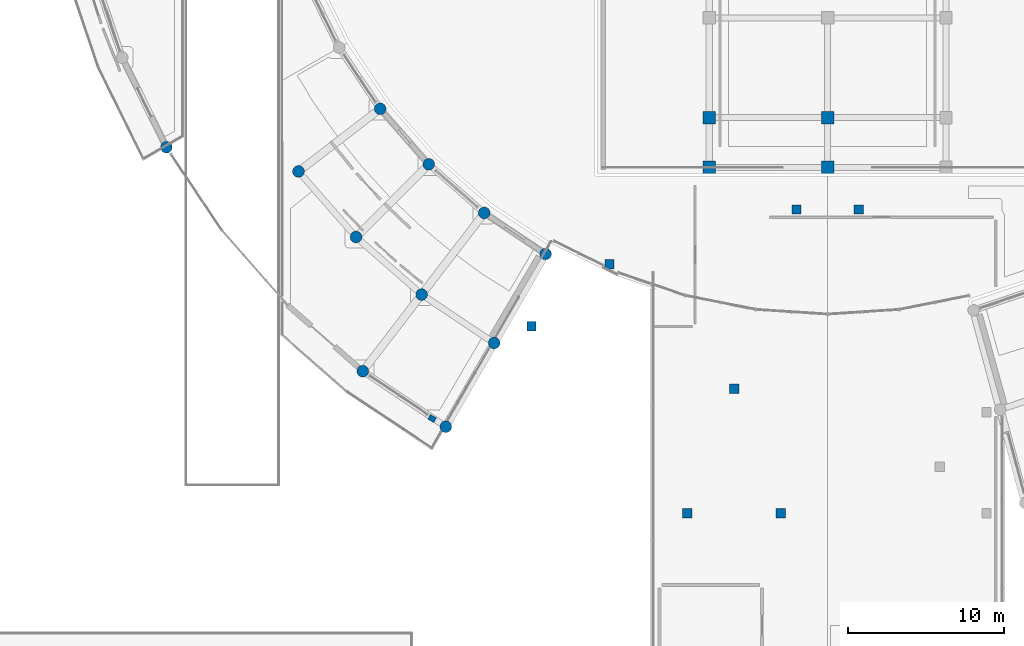
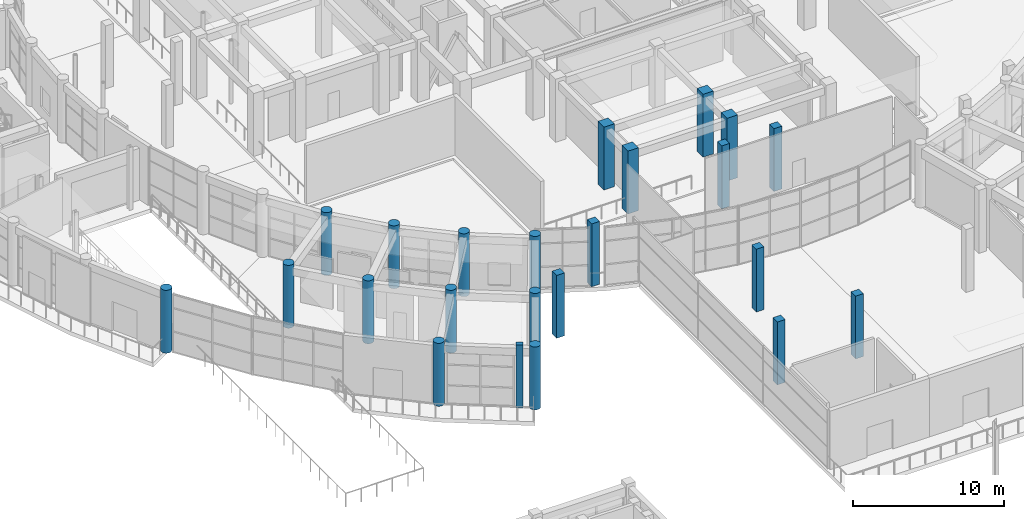
# One storey, part 3 of 99: 23 columns.
"""IFC4 building model written with IfcOpenShell, lengths in metres."""

import ifcopenshell
import ifcopenshell.guid

model = None  # the IFC model being written
_history = None  # IfcOwnerHistory: only IFC2X3 demands one
_inside = {}  # id of a spatial element -> (the spatial element, [elements in it])
_under = {}  # id of a project, library or spatial element -> (it, [spatial elements below it])
_declared = {}  # id of a project -> (the project, [libraries it declares])
_typed = {}  # id of a type object -> (the type object, [elements of that type])
_made_of = {}  # id of a material, layer set ... -> (it, [elements and type objects made of it])


def new_model(schema):
    """Start an empty IFC model of exactly this schema.

    Asked for "IFC4X3", IfcOpenShell would pick the latest addendum, in which some entities
    have other attributes; the version numbers below select the first issue.
    IFC2X3 requires an IfcOwnerHistory on every rooted entity: one is made here for all.
    """
    global model, _history
    if schema == "IFC4X3":
        model = ifcopenshell.file(schema_version=(4, 3, 0, 0))
    else:
        model = ifcopenshell.file(schema=schema)
    _inside.clear()
    _under.clear()
    _declared.clear()
    _typed.clear()
    _made_of.clear()
    _history = None
    if model.schema == "IFC2X3":
        org = make("IfcOrganization", Name="unknown")
        user = make(
            "IfcPersonAndOrganization",
            ThePerson=make("IfcPerson", FamilyName="unknown"),
            TheOrganization=org,
        )
        app = make(
            "IfcApplication",
            ApplicationDeveloper=org,
            Version="unknown",
            ApplicationFullName="unknown",
            ApplicationIdentifier="unknown",
        )
        _history = make(
            "IfcOwnerHistory",
            OwningUser=user,
            OwningApplication=app,
            ChangeAction="ADDED",
            CreationDate=0,
        )
    return model


def make(cls, **values):
    """One entity of the class cls with the attributes given. An attribute that is None is left unset."""
    return model.create_entity(
        cls, **{name: value for name, value in values.items() if value is not None}
    )


def rooted(cls, **values):
    """An entity with a GlobalId (a new one), such as an element, a storey or a relation."""
    return make(cls, GlobalId=ifcopenshell.guid.new(), OwnerHistory=_history, **values)


def si_unit(unit_type, name, prefix=None):
    """IfcSIUnit, for example si_unit("LENGTHUNIT", "METRE", prefix="MILLI")."""
    return make("IfcSIUnit", UnitType=unit_type, Prefix=prefix, Name=name)


def assignment(units):
    """IfcUnitAssignment: the units of a project."""
    return None if units is None else make("IfcUnitAssignment", Units=units)


def point(xyz):
    """IfcCartesianPoint."""
    return None if xyz is None else make("IfcCartesianPoint", Coordinates=xyz)


def direction(xyz):
    """IfcDirection."""
    return None if xyz is None else make("IfcDirection", DirectionRatios=xyz)


def frame(location, z_axis=None, x_axis=None):
    """IfcAxis2Placement3D, a coordinate frame: its origin and axes. An axis left out is left unset."""
    return make(
        "IfcAxis2Placement3D",
        Location=point(location),
        Axis=direction(z_axis),
        RefDirection=direction(x_axis),
    )


def frame_2d(location, x_axis=None):
    """IfcAxis2Placement2D, a coordinate frame in the plane: its origin and x axis."""
    return make(
        "IfcAxis2Placement2D", Location=point(location), RefDirection=direction(x_axis)
    )


def origin():
    """The frame at (0, 0, 0) with its axes left unset."""
    return frame((0.0, 0.0, 0.0))


def origin_2d():
    """The frame at (0, 0) in the plane with its x axis left unset."""
    return frame_2d((0.0, 0.0))


def place(relative_to, where):
    """IfcLocalPlacement: puts the frame where relative to a parent placement (None: the world)."""
    return make(
        "IfcLocalPlacement", PlacementRelTo=relative_to, RelativePlacement=where
    )


def context(
    kind, dimensions, precision=None, world=None, true_north=None, identifier=None
):
    """IfcGeometricRepresentationContext, for example the 3D "Model" context."""
    return make(
        "IfcGeometricRepresentationContext",
        ContextIdentifier=identifier,
        ContextType=kind,
        CoordinateSpaceDimension=dimensions,
        Precision=precision,
        WorldCoordinateSystem=world,
        TrueNorth=true_north,
    )


def subcontext(parent, identifier, kind, view, scale=None):
    """IfcGeometricRepresentationSubContext, for example "Body" below "Model"."""
    return make(
        "IfcGeometricRepresentationSubContext",
        ContextIdentifier=identifier,
        ContextType=kind,
        ParentContext=parent,
        TargetScale=scale,
        TargetView=view,
    )


def project(units=None, contexts=None):
    """IfcProject with its units and contexts."""
    return rooted(
        "IfcProject",
        Name="project",
        RepresentationContexts=contexts,
        UnitsInContext=assignment(units),
    )


def spatial(cls, under=None, at=None, **own):
    """A site, building, storey or space (cls), placed at a placement, below another one or the project."""
    s = rooted(cls, ObjectPlacement=at, **own)
    if under is not None:
        _under.setdefault(under.id(), (under, []))[1].append(s)
    return s


def profile(cls, at=None, kind="AREA", **sizes):
    """A parametric profile (cls). Its sizes go by their IFC names, for example OverallWidth=200.0."""
    return make(cls, ProfileType=kind, Position=at, **sizes)


def rectangle(**sizes):
    """IfcRectangleProfileDef."""
    return profile("IfcRectangleProfileDef", **sizes)


def circle(**sizes):
    """IfcCircleProfileDef."""
    return profile("IfcCircleProfileDef", **sizes)


def extrude(swept, where, along, depth):
    """IfcExtrudedAreaSolid: the profile swept, set in the frame where, extruded along a direction by depth."""
    return make(
        "IfcExtrudedAreaSolid",
        SweptArea=swept,
        Position=where,
        ExtrudedDirection=direction(along),
        Depth=depth,
    )


def shape(context_of_items, identifier, shape_type, items):
    """IfcShapeRepresentation: the items that make up one representation, for example the "Body"."""
    return make(
        "IfcShapeRepresentation",
        ContextOfItems=context_of_items,
        RepresentationIdentifier=identifier,
        RepresentationType=shape_type,
        Items=items,
    )


def material(Name=None, Category=None):
    """IfcMaterial."""
    return make("IfcMaterial", Name=Name, Category=Category)


def material_profile(
    of_material, cross_section, Name=None, Category=None, Priority=None
):
    """IfcMaterialProfile: a cross section and its material."""
    return make(
        "IfcMaterialProfile",
        Name=Name,
        Material=of_material,
        Profile=cross_section,
        Priority=Priority,
        Category=Category,
    )


def profile_set(profiles, Name=None, composite=None):
    """IfcMaterialProfileSet."""
    return make(
        "IfcMaterialProfileSet",
        Name=Name,
        MaterialProfiles=profiles,
        CompositeProfile=composite,
    )


def made_of(thing, what):
    """Note that an element or type object is made of a material, layer set ...; save() writes the relation."""
    if what is not None:
        _made_of.setdefault(what.id(), (what, []))[1].append(thing)
    return thing


def type_object(cls, material=None, **own):
    """A type object (cls), such as IfcWallType, which elements share."""
    return made_of(rooted(cls, **own), material)


def element(
    cls,
    number,
    at=None,
    inside=None,
    cuts=None,
    type_object=None,
    material=None,
    context=None,
    identifier="Body",
    shape_type=None,
    held_by="IfcProductDefinitionShape",
    body=None,
    shapes=None,
    **own,
):
    """One element of the class cls, such as IfcWall. Its Tag is "e" and its number.

    at: its placement. inside: the storey or other place that contains it. cuts: it is an
    opening in that element (IfcRelVoidsElement). A single representation is given by context,
    identifier, shape_type and body (its items); several are given by shapes. held_by: the class
    of the entity that holds the representations. save() writes the other relations.
    """
    e = rooted(cls, Tag="e%d" % number, ObjectPlacement=at, **own)
    if body is not None:
        shapes = [shape(context, identifier, shape_type, body)]
    if shapes is not None:
        e.Representation = make(held_by, Representations=shapes)
    if inside is not None:
        _inside.setdefault(inside.id(), (inside, []))[1].append(e)
    if cuts is not None:
        rooted(
            "IfcRelVoidsElement", RelatingBuildingElement=cuts, RelatedOpeningElement=e
        )
    if type_object is not None:
        _typed.setdefault(type_object.id(), (type_object, []))[1].append(e)
    return made_of(e, material)


def aggregate(whole, parts):
    """IfcRelAggregates: a whole, such as a stair, and the parts it consists of."""
    return rooted("IfcRelAggregates", RelatingObject=whole, RelatedObjects=parts)


def save(model, path):
    """Write the relations noted so far, then the file.

    IfcRelAggregates (storeys below a building ...), IfcRelContainedInSpatialStructure (elements
    in a storey), IfcRelDefinesByType, IfcRelAssociatesMaterial and IfcRelDeclares: one each for
    every whole, place, type object, material and project.
    """
    for whole, parts in _under.values():
        aggregate(whole, parts)
    for where, things in _inside.values():
        rooted(
            "IfcRelContainedInSpatialStructure",
            RelatedElements=things,
            RelatingStructure=where,
        )
    for kind, things in _typed.values():
        rooted("IfcRelDefinesByType", RelatedObjects=things, RelatingType=kind)
    for what, things in _made_of.values():
        rooted("IfcRelAssociatesMaterial", RelatedObjects=things, RelatingMaterial=what)
    for by, libraries in _declared.values():
        rooted("IfcRelDeclares", RelatingContext=by, RelatedDefinitions=libraries)
    model.write(path)


model = new_model("IFC4")

# Units and contexts
model_context = context("Model", 3, precision=1e-05, world=origin(), true_north=direction((0.0, 1.0)))
body_context = subcontext(model_context, "Body", "Model", "MODEL_VIEW")
ifc_project = project(units=[si_unit("LENGTHUNIT", "METRE"), si_unit("AREAUNIT", "SQUARE_METRE"), si_unit("VOLUMEUNIT", "CUBIC_METRE"), si_unit("PLANEANGLEUNIT", "RADIAN"), si_unit("MASSUNIT", "GRAM", prefix="KILO")], contexts=[model_context])

# Site, building, storey
site_placement = place(None, origin())
site = spatial("IfcSite", under=ifc_project, at=site_placement, CompositionType="ELEMENT")
building_placement = place(site_placement, origin())
building = spatial("IfcBuilding", under=site, at=building_placement, Name="Saryqyr Civic Hall", CompositionType="ELEMENT")
storey_placement = place(building_placement, origin())
storey = spatial("IfcBuildingStorey", under=building, at=storey_placement, Name="L00", CompositionType="ELEMENT", Elevation=0.0)

# Columns
ifc_material_1 = material(Name="Concrete C40/50", Category="concrete")
ifc_material_profile_1 = material_profile(ifc_material_1, rectangle(XDim=0.60009765625, YDim=0.60009765625, at=origin_2d()), Name="RC 600x600")
ifc_profile_set_1 = profile_set([ifc_material_profile_1], Name="Concrete C40/50")
column_type_1 = type_object("IfcColumnType", Name="STR-COL-RC600-C40", PredefinedType="COLUMN", material=ifc_profile_set_1)
for number, where, z_axis, x_axis, name in (
    (1, (38.0, 48.0, 0.0), (0.0, 0.0, 1.0), (1.0, 0.0, 0.0), "Column V2-XCOL-07-L00"),
    (2, (43.0, 52.0, 0.0), (0.0, 0.0, 1.0), (1.0, 0.0, 0.0), "Column V2-XCOL-08-L00"),
    (3, (48.0, 36.0, 0.0), (0.0, 0.0, 1.0), (1.0, 0.0, 0.0), "Column V2-XCOL-10-L00"),
    (4, (54.0, 36.0, 0.0), (0.0, 0.0, 1.0), (1.0, 0.0, 0.0), "Column V2-XCOL-11-L00"),
    (5, (51.0, 44.0, 0.0), (0.0, 0.0, 1.0), (1.0, 0.0, 0.0), "Column V2-XCOL-12-L00"),
    (6, (55.0, 55.5, 0.0), (0.0, 0.0, 1.0), (1.0, 0.0, 0.0), "Column V2-XCOL-31-L00"),
    (7, (59.0, 55.5, 0.0), (0.0, 0.0, 1.0), (1.0, 0.0, 0.0), "Column V2-XCOL-32-L00"),
):
    element("IfcColumn", number, at=place(storey_placement, frame(where, z_axis=z_axis, x_axis=x_axis)), inside=storey, type_object=column_type_1, Name=name, PredefinedType="COLUMN", context=body_context, shape_type="SweptSolid", body=[
        extrude(rectangle(XDim=0.60009765625, YDim=0.60009765625, at=origin_2d()), origin(), (0.0, 0.0, 1.0), 5.10009765625),
    ])
ifc_material_profile_2 = material_profile(ifc_material_1, rectangle(XDim=0.800048828125, YDim=0.800048828125, at=origin_2d()), Name="RC 800x800")
ifc_profile_set_2 = profile_set([ifc_material_profile_2], Name="Concrete C40/50")
column_type_2 = type_object("IfcColumnType", Name="STR-COL-RC800-C40", PredefinedType="COLUMN", material=ifc_profile_set_2)
for number, where, z_axis, x_axis, name in (
    (8, (49.39990234375, 61.39990234375, 0.0), (0.0, 0.0, 1.0), (1.0, 0.0, 0.0), "Column V1-COL-S1P07-L00"),
    (9, (57.0, 61.39990234375, 0.0), (0.0, 0.0, 1.0), (1.0, 0.0, 0.0), "Column V1-COL-S1P08-L00"),
    (10, (49.39990234375, 58.199951171875, 0.0), (0.0, 0.0, 1.0), (1.0, 0.0, 0.0), "Column V1-COL-S0P07-L00"),
    (11, (57.0, 58.199951171875, 0.0), (0.0, 0.0, 1.0), (1.0, 0.0, 0.0), "Column V1-COL-S0P08-L00"),
):
    element("IfcColumn", number, at=place(storey_placement, frame(where, z_axis=z_axis, x_axis=x_axis)), inside=storey, type_object=column_type_2, Name=name, PredefinedType="COLUMN", context=body_context, shape_type="SweptSolid", body=[
        extrude(rectangle(XDim=0.800048828125, YDim=0.800048828125, at=origin_2d()), origin(), (0.0, 0.0, 1.0), 5.10009765625),
    ])
ifc_material_profile_3 = material_profile(ifc_material_1, circle(Radius=0.375, at=origin_2d()), Name="RC D750")
ifc_profile_set_3 = profile_set([ifc_material_profile_3], Name="Concrete C40/50")
column_type_3 = type_object("IfcColumnType", Name="STR-COL-RCD750-EXT", PredefinedType="COLUMN", material=ifc_profile_set_3)
for number, where, z_axis, x_axis, name in (
    (12, (14.564697265625, 59.5, 0.0), (0.0, 0.0, 1.0), (-0.866025403784, -0.5, 0.0), "Column V4-COL-OUT06-L00"),
    (13, (28.280517578125, 61.962890625, 0.0), (0.0, 0.0, 1.0), (-0.793353340291, -0.608761429009, 0.0), "Column V4-COL-IN07-L00"),
    (14, (31.402587890625, 58.402587890625, 0.0), (0.0, 0.0, 1.0), (-0.707106781187, -0.707106781187, 0.0), "Column V4-COL-IN08-L00"),
    (15, (34.962890625, 55.280517578125, 0.0), (0.0, 0.0, 1.0), (-0.608761429009, -0.793353340291, 0.0), "Column V4-COL-IN09-L00"),
    (16, (27.170654296875, 45.125732421875, 0.0), (0.0, 0.0, 1.0), (-0.608761429009, -0.793353340291, 0.0), "Column V4-COL-OUT09-L00"),
    (17, (38.89990234375, 52.64990234375, 0.0), (0.0, 0.0, 1.0), (-0.5, -0.866025403784, 0.0), "Column V4-COL-IN10-L00"),
    (18, (32.5, 41.564697265625, 0.0), (0.0, 0.0, 1.0), (-0.5, -0.866025403784, 0.0), "Column V4-COL-OUT10-L00"),
):
    element("IfcColumn", number, at=place(storey_placement, frame(where, z_axis=z_axis, x_axis=x_axis)), inside=storey, type_object=column_type_3, Name=name, PredefinedType="COLUMN", context=body_context, shape_type="SweptSolid", body=[
        extrude(circle(Radius=0.375, at=origin_2d()), origin(), (0.0, 0.0, 1.0), 5.10009765625),
    ])
ifc_material_profile_4 = material_profile(ifc_material_1, circle(Radius=0.375, at=origin_2d()), Name="RC D750")
ifc_profile_set_4 = profile_set([ifc_material_profile_4], Name="Concrete C40/50")
column_type_4 = type_object("IfcColumnType", Name="STR-COL-RCD750-INT", PredefinedType="COLUMN", material=ifc_profile_set_4)
for number, where, z_axis, x_axis, name in (
    (19, (23.04443359375, 57.945068359375, 0.0), (0.0, 0.0, 1.0), (-0.793353340291, -0.608761429009, 0.0), "Column V4-COL-MID07-L00"),
    (20, (26.73583984375, 53.73583984375, 0.0), (0.0, 0.0, 1.0), (-0.707106781187, -0.707106781187, 0.0), "Column V4-COL-MID08-L00"),
    (21, (30.945068359375, 50.04443359375, 0.0), (0.0, 0.0, 1.0), (-0.608761429009, -0.793353340291, 0.0), "Column V4-COL-MID09-L00"),
    (22, (35.60009765625, 46.93408203125, 0.0), (0.0, 0.0, 1.0), (-0.5, -0.866025403784, 0.0), "Column V4-COL-MID10-L00"),
):
    element("IfcColumn", number, at=place(storey_placement, frame(where, z_axis=z_axis, x_axis=x_axis)), inside=storey, type_object=column_type_4, Name=name, PredefinedType="COLUMN", context=body_context, shape_type="SweptSolid", body=[
        extrude(circle(Radius=0.375, at=origin_2d()), origin(), (0.0, 0.0, 1.0), 5.10009765625),
    ])
ifc_material_2 = material(Name="Concrete C35/45", Category="concrete")
ifc_material_profile_5 = material_profile(ifc_material_2, rectangle(XDim=0.35009765625, YDim=0.449951171875, at=origin_2d()), Name="RC 350x450")
ifc_profile_set_5 = profile_set([ifc_material_profile_5], Name="Concrete C35/45")
column_type_5 = type_object("IfcColumnType", Name="STR-PIL-RC350x450-EXT", PredefinedType="PILASTER", material=ifc_profile_set_5)
column_placement = place(storey_placement, frame((31.61669921875, 42.087158203125, 0.0), z_axis=(0.0, 0.0, 1.0), x_axis=(-0.5, -0.866025403784, 0.0)))
element("IfcColumn", 23, at=column_placement, inside=storey, type_object=column_type_5, Name="Column V4-PIL-10-L00", PredefinedType="PILASTER", context=body_context, shape_type="SweptSolid", body=[
    extrude(rectangle(XDim=0.35009765625, YDim=0.449951171875, at=origin_2d()), origin(), (0.0, 0.0, 1.0), 5.10009765625),
])

save(model, "model.ifc")
